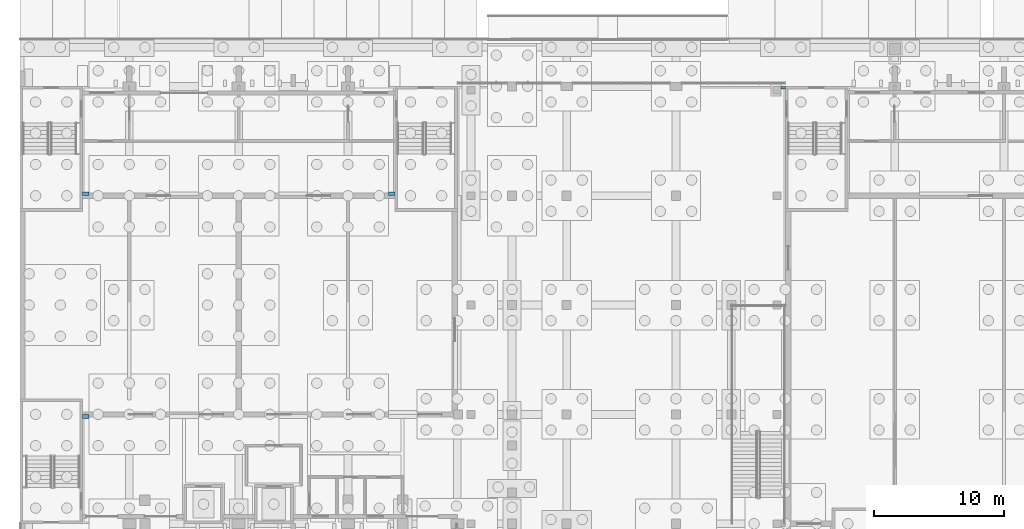
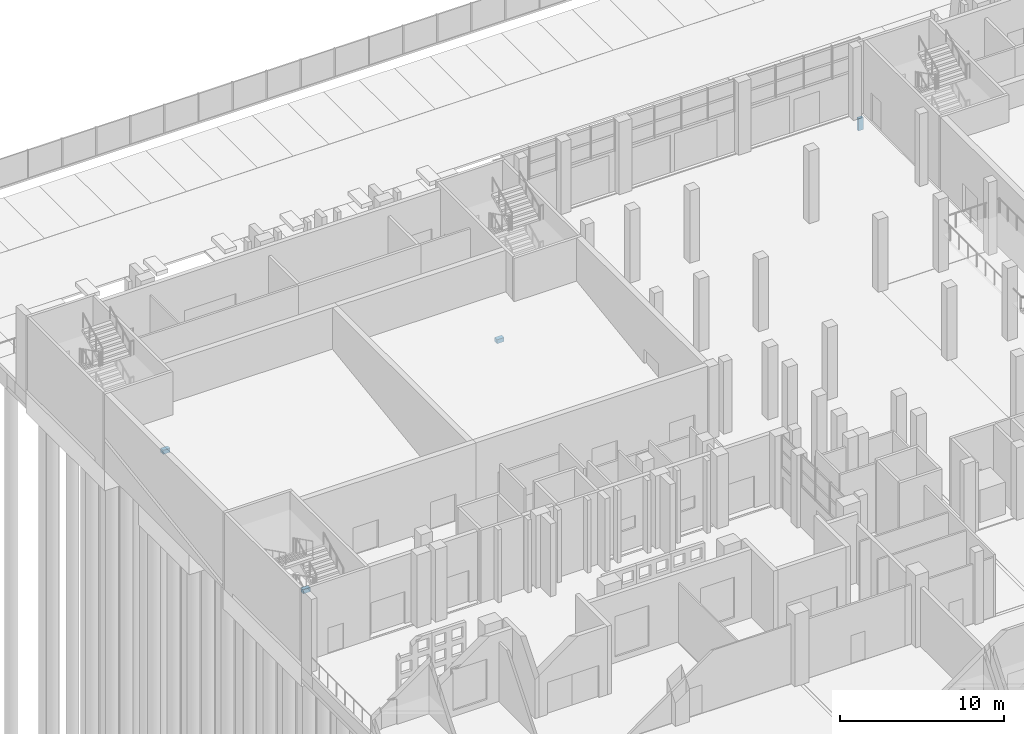
# One storey, part 11 of 129: 4 footings.
"""IFC4 building model written with IfcOpenShell, lengths in metres."""

from ifc_helpers import new_model, si_unit, direction, frame, origin, origin_2d, place, context, subcontext, project, spatial, rectangle, extrude, material, type_object, element, save


model = new_model("IFC4")

# Units and contexts
model_context = context("Model", 3, precision=1e-05, world=origin(), true_north=direction((0.0, 1.0)))
body_context = subcontext(model_context, "Body", "Model", "MODEL_VIEW")
ifc_project = project(units=[si_unit("LENGTHUNIT", "METRE"), si_unit("AREAUNIT", "SQUARE_METRE"), si_unit("VOLUMEUNIT", "CUBIC_METRE"), si_unit("PLANEANGLEUNIT", "RADIAN"), si_unit("MASSUNIT", "GRAM", prefix="KILO")], contexts=[model_context])

# Site, building, storey
site_placement = place(None, origin())
site = spatial("IfcSite", under=ifc_project, at=site_placement, CompositionType="ELEMENT")
building_placement = place(site_placement, origin())
building = spatial("IfcBuilding", under=site, at=building_placement, Name="Kiln Court Media Centre", CompositionType="ELEMENT")
storey_placement = place(building_placement, origin())
storey = spatial("IfcBuildingStorey", under=building, at=storey_placement, Name="L00", CompositionType="ELEMENT", Elevation=0.0)

# Footings
ifc_material_1 = material(Name="Concrete C30/37", Category="concrete")
footing_type_1 = type_object("IfcFootingType", Name="Concrete C30/37 wall footing 200x900", PredefinedType="STRIP_FOOTING", material=ifc_material_1)
footing_placement = place(storey_placement, frame((58.625, 67.10009765625, -1.199951171875), z_axis=(0.0, 0.0, 1.0), x_axis=(1.0, 0.0, 0.0)))
element("IfcFooting", 1, at=footing_placement, inside=storey, type_object=footing_type_1, Name="L00-FT-1463", PredefinedType="STRIP_FOOTING", context=body_context, shape_type="SweptSolid", body=[
    extrude(rectangle(XDim=0.35009765625, YDim=0.199951171875, at=origin_2d()), origin(), (0.0, 0.0, 1.0), 0.89990234375),
])
ifc_material_2 = material(Name="Concrete C30/37", Category="concrete")
footing_type_2 = type_object("IfcFootingType", Name="Concrete C30/37 wall footing 300x300", PredefinedType="STRIP_FOOTING", material=ifc_material_2)
for number, where, z_axis, x_axis, name in (
    (2, (5.050048828125, 58.949951171875, -1.5), (0.0, 0.0, 1.0), (1.0, 0.0, 0.0), "L00-FT-1510"),
    (3, (28.550048828125, 58.949951171875, -1.5), (0.0, 0.0, 1.0), (1.0, 0.0, 0.0), "L00-FT-1513"),
    (4, (5.050048828125, 41.85009765625, -1.5), (0.0, 0.0, 1.0), (1.0, 0.0, 0.0), "L00-FT-1516"),
):
    element("IfcFooting", number, at=place(storey_placement, frame(where, z_axis=z_axis, x_axis=x_axis)), inside=storey, type_object=footing_type_2, Name=name, PredefinedType="STRIP_FOOTING", context=body_context, shape_type="SweptSolid", body=[
        extrude(rectangle(XDim=0.5, YDim=0.300048828125, at=origin_2d()), origin(), (0.0, 0.0, 1.0), 0.300048828125),
    ])

save(model, "model.ifc")
